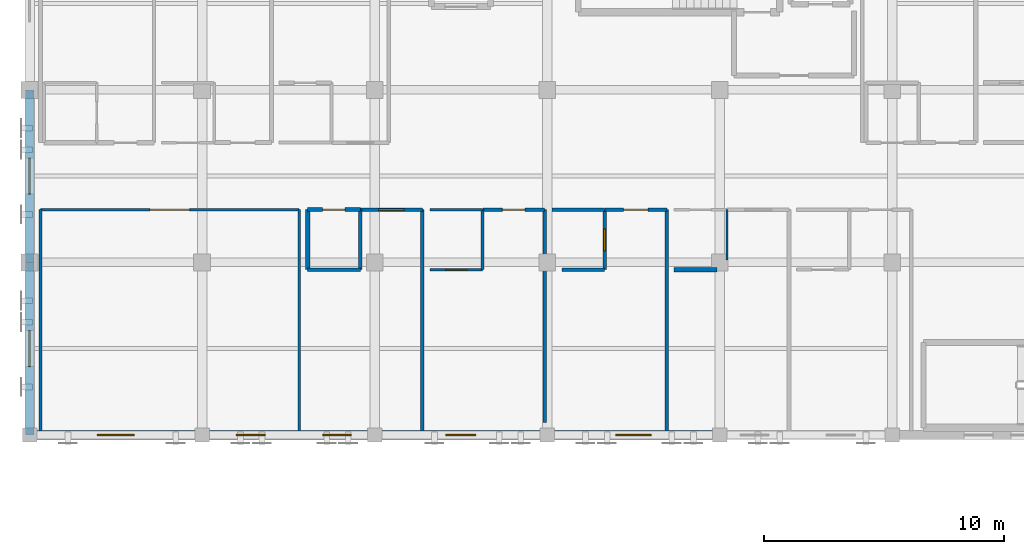
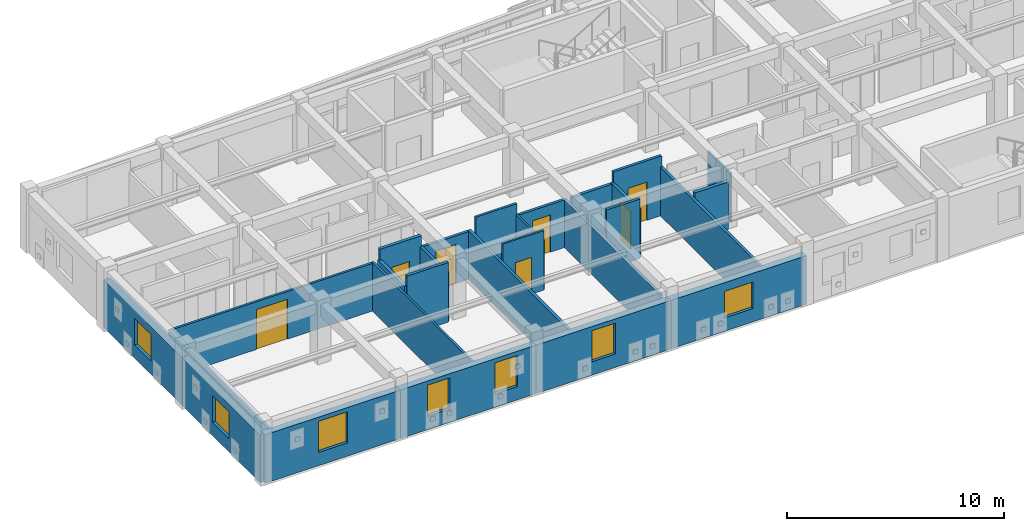
# One storey, part 57 of 73: 27 walls, 7 doors, 7 windows, 14 openings.
"""IFC4 building model written with IfcOpenShell, lengths in metres."""

from ifc_helpers import new_model, si_unit, direction, frame, frame_2d, origin, place, context, subcontext, project, spatial, rectangle, extrude, material, layer, layer_set, type_object, element, fill, save


model = new_model("IFC4")

# Units and contexts
model_context = context("Model", 3, precision=1e-05, world=origin(), true_north=direction((0.0, 1.0)))
body_context = subcontext(model_context, "Body", "Model", "MODEL_VIEW")
ifc_project = project(units=[si_unit("LENGTHUNIT", "METRE"), si_unit("AREAUNIT", "SQUARE_METRE"), si_unit("VOLUMEUNIT", "CUBIC_METRE"), si_unit("PLANEANGLEUNIT", "RADIAN"), si_unit("MASSUNIT", "GRAM", prefix="KILO")], contexts=[model_context])

# Site, building, storey
site_placement = place(None, origin())
site = spatial("IfcSite", under=ifc_project, at=site_placement, CompositionType="ELEMENT")
building_placement = place(site_placement, origin())
building = spatial("IfcBuilding", under=site, at=building_placement, Name="Carrowvane Square Congress Hotel", CompositionType="ELEMENT")
storey_placement = place(building_placement, frame((0.0, 0.0, 19.199951171875)))
storey = spatial("IfcBuildingStorey", under=building, at=storey_placement, Name="L04", CompositionType="ELEMENT", Elevation=19.199951171875)

# Wall, opening, window
ifc_material_1 = material(Name="Glazed terracotta rainscreen", Category="masonry")
ifc_layer_1 = layer(ifc_material_1, 0.360107421875)
ifc_layer_set_1 = layer_set([ifc_layer_1], Name="Glazed terracotta rainscreen")
wall_type_1 = type_object("IfcWallType", Name="WL-EXT-TC360", PredefinedType="STANDARD", material=ifc_layer_set_1)
wall_1_placement = place(storey_placement, frame((33.199951171875, 91.800048828125, 0.0), z_axis=(0.0, 0.0, 1.0), x_axis=(0.0, 1.0, 0.0)))
wall_1 = element("IfcWall", 1, at=wall_1_placement, inside=storey, type_object=wall_type_1, Name="L04 exterior facade wall 419", PredefinedType="STANDARD", context=body_context, shape_type="SweptSolid", body=[
    extrude(rectangle(XDim=7.199951171875, YDim=0.360107421875, at=frame_2d((3.60009765625, 0.0))), origin(), (0.0, 0.0, 1.0), 2.68505859375),
])
opening_1_placement = place(wall_1_placement, frame((2.85009765625, 0.0, 0.75)))
opening_1 = element("IfcOpeningElement", 2, at=opening_1_placement, cuts=wall_1, Name="Opening W-15", PredefinedType="OPENING", context=body_context, shape_type="SweptSolid", body=[
    extrude(rectangle(XDim=1.5, YDim=1.5, at=frame_2d((0.75, 0.75))), frame((0.0, 0.18994140625, 0.0), z_axis=(0.0, -1.0, 0.0), x_axis=(1.0, 0.0, 0.0)), (0.0, 0.0, 1.0), 0.380126953125),
])
ifc_material_2 = material(Name="Double-glazed low-E glass", Category="glass")
window_type_1 = type_object("IfcWindowType", Name="WIN-15", PartitioningType="SINGLE_PANEL", PredefinedType="WINDOW", material=ifc_material_2)
window_1_placement = place(opening_1_placement, origin())
window_1 = element("IfcWindow", 3, at=window_1_placement, inside=storey, type_object=window_type_1, Name="L04 facade window 251", OverallHeight=1.5, OverallWidth=1.5, PartitioningType="SINGLE_PANEL", PredefinedType="WINDOW", context=body_context, shape_type="SweptSolid", body=[
    extrude(rectangle(XDim=1.5, YDim=1.5, at=frame_2d((0.75, 0.75))), frame((0.0, 0.030029296875, 0.0), z_axis=(0.0, -1.0, 0.0), x_axis=(1.0, 0.0, 0.0)), (0.0, 0.0, 1.0), 0.06005859375),
])
fill(opening_1, window_1)

wall_2_placement = place(storey_placement, frame((33.199951171875, 99.0, 0.0), z_axis=(0.0, 0.0, 1.0), x_axis=(0.0, 1.0, 0.0)))
wall_2 = element("IfcWall", 4, at=wall_2_placement, inside=storey, type_object=wall_type_1, Name="L04 exterior facade wall 420", PredefinedType="STANDARD", context=body_context, shape_type="SweptSolid", body=[
    extrude(rectangle(XDim=7.199951171875, YDim=0.360107421875, at=frame_2d((3.60009765625, 0.0))), origin(), (0.0, 0.0, 1.0), 2.68505859375),
])
opening_2_placement = place(wall_2_placement, frame((2.85009765625, 0.0, 0.75)))
opening_2 = element("IfcOpeningElement", 5, at=opening_2_placement, cuts=wall_2, Name="Opening W-15", PredefinedType="OPENING", context=body_context, shape_type="SweptSolid", body=[
    extrude(rectangle(XDim=1.5, YDim=1.5, at=frame_2d((0.75, 0.75))), frame((0.0, 0.18994140625, 0.0), z_axis=(0.0, -1.0, 0.0), x_axis=(1.0, 0.0, 0.0)), (0.0, 0.0, 1.0), 0.380126953125),
])
window_2_placement = place(opening_2_placement, origin())
window_2 = element("IfcWindow", 6, at=window_2_placement, inside=storey, type_object=window_type_1, Name="L04 facade window 252", OverallHeight=1.5, OverallWidth=1.5, PartitioningType="SINGLE_PANEL", PredefinedType="WINDOW", context=body_context, shape_type="SweptSolid", body=[
    extrude(rectangle(XDim=1.5, YDim=1.5, at=frame_2d((0.75, 0.75))), frame((0.0, 0.030029296875, 0.0), z_axis=(0.0, -1.0, 0.0), x_axis=(1.0, 0.0, 0.0)), (0.0, 0.0, 1.0), 0.06005859375),
])
fill(opening_2, window_2)

wall_3_placement = place(storey_placement, frame((62.0, 91.800048828125, 0.0), z_axis=(0.0, 0.0, 1.0), x_axis=(-1.0, 0.0, 0.0)))
wall_3 = element("IfcWall", 7, at=wall_3_placement, inside=storey, type_object=wall_type_1, Name="L04 exterior facade wall 447", PredefinedType="STANDARD", context=body_context, shape_type="SweptSolid", body=[
    extrude(rectangle(XDim=7.199951171875, YDim=0.360107421875, at=frame_2d((3.60009765625, 0.0))), origin(), (0.0, 0.0, 1.0), 2.735107421875),
])
opening_3_placement = place(wall_3_placement, frame((2.85009765625, 0.0, 0.75)))
opening_3 = element("IfcOpeningElement", 8, at=opening_3_placement, cuts=wall_3, Name="Opening W-15", PredefinedType="OPENING", context=body_context, shape_type="SweptSolid", body=[
    extrude(rectangle(XDim=1.5, YDim=1.5, at=frame_2d((0.75, 0.75))), frame((0.0, 0.18994140625, 0.0), z_axis=(0.0, -1.0, 0.0), x_axis=(1.0, 0.0, 0.0)), (0.0, 0.0, 1.0), 0.380126953125),
])
window_3_placement = place(opening_3_placement, origin())
window_3 = element("IfcWindow", 9, at=window_3_placement, inside=storey, type_object=window_type_1, Name="L04 facade window 279", OverallHeight=1.5, OverallWidth=1.5, PartitioningType="SINGLE_PANEL", PredefinedType="WINDOW", context=body_context, shape_type="SweptSolid", body=[
    extrude(rectangle(XDim=1.5, YDim=1.5, at=frame_2d((0.75, 0.75))), frame((0.0, 0.030029296875, 0.0), z_axis=(0.0, -1.0, 0.0), x_axis=(1.0, 0.0, 0.0)), (0.0, 0.0, 1.0), 0.06005859375),
])
fill(opening_3, window_3)

wall_4_placement = place(storey_placement, frame((54.800048828125, 91.800048828125, 0.0), z_axis=(0.0, 0.0, 1.0), x_axis=(-1.0, 0.0, 0.0)))
wall_4 = element("IfcWall", 10, at=wall_4_placement, inside=storey, type_object=wall_type_1, Name="L04 exterior facade wall 448", PredefinedType="STANDARD", context=body_context, shape_type="SweptSolid", body=[
    extrude(rectangle(XDim=7.199951171875, YDim=0.360107421875, at=frame_2d((3.60009765625, 0.0))), origin(), (0.0, 0.0, 1.0), 2.735107421875),
])
opening_4_placement = place(wall_4_placement, frame((2.97509765625, 0.0, 0.75)))
opening_4 = element("IfcOpeningElement", 11, at=opening_4_placement, cuts=wall_4, Name="Opening W-21", PredefinedType="OPENING", context=body_context, shape_type="SweptSolid", body=[
    extrude(rectangle(XDim=1.25, YDim=1.75, at=frame_2d((0.625, 0.875))), frame((0.0, 0.18994140625, 0.0), z_axis=(0.0, -1.0, 0.0), x_axis=(1.0, 0.0, 0.0)), (0.0, 0.0, 1.0), 0.380126953125),
])
ifc_material_3 = material(Name="Double-glazed low-E glass", Category="glass")
window_type_2 = type_object("IfcWindowType", Name="WIN-21", PartitioningType="SINGLE_PANEL", PredefinedType="WINDOW", material=ifc_material_3)
window_4_placement = place(opening_4_placement, origin())
window_4 = element("IfcWindow", 12, at=window_4_placement, inside=storey, type_object=window_type_2, Name="L04 facade window 280", OverallHeight=1.75, OverallWidth=1.25, PartitioningType="SINGLE_PANEL", PredefinedType="WINDOW", context=body_context, shape_type="SweptSolid", body=[
    extrude(rectangle(XDim=1.25, YDim=1.75, at=frame_2d((0.625, 0.875))), frame((0.0, 0.030029296875, 0.0), z_axis=(0.0, -1.0, 0.0), x_axis=(1.0, 0.0, 0.0)), (0.0, 0.0, 1.0), 0.06005859375),
])
fill(opening_4, window_4)

# Wall, openings, windows
wall_5_placement = place(storey_placement, frame((47.60009765625, 91.800048828125, 0.0), z_axis=(0.0, 0.0, 1.0), x_axis=(-1.0, 0.0, 0.0)))
wall_5 = element("IfcWall", 13, at=wall_5_placement, inside=storey, type_object=wall_type_1, Name="L04 exterior facade wall 449", PredefinedType="STANDARD", context=body_context, shape_type="SweptSolid", body=[
    extrude(rectangle(XDim=7.2001953125, YDim=0.360107421875, at=frame_2d((3.60009765625, 0.0))), origin(), (0.0, 0.0, 1.0), 2.735107421875),
])
opening_5_placement = place(wall_5_placement, frame((0.97509765625, 0.0, 0.75)))
opening_5 = element("IfcOpeningElement", 14, at=opening_5_placement, cuts=wall_5, Name="Opening W-01", PredefinedType="OPENING", context=body_context, shape_type="SweptSolid", body=[
    extrude(rectangle(XDim=1.199951171875, YDim=1.75, at=frame_2d((0.60009765625, 0.875))), frame((0.0, 0.18994140625, 0.0), z_axis=(0.0, -1.0, 0.0), x_axis=(1.0, 0.0, 0.0)), (0.0, 0.0, 1.0), 0.380126953125),
])
opening_6_placement = place(wall_5_placement, frame((4.574951171875, 0.0, 0.75)))
opening_6 = element("IfcOpeningElement", 15, at=opening_6_placement, cuts=wall_5, Name="Opening W-01", PredefinedType="OPENING", context=body_context, shape_type="SweptSolid", body=[
    extrude(rectangle(XDim=1.199951171875, YDim=1.75, at=frame_2d((0.60009765625, 0.875))), frame((0.0, 0.18994140625, 0.0), z_axis=(0.0, -1.0, 0.0), x_axis=(1.0, 0.0, 0.0)), (0.0, 0.0, 1.0), 0.380126953125),
])
ifc_material_4 = material(Name="Double-glazed low-E glass", Category="glass")
window_type_3 = type_object("IfcWindowType", Name="WIN-01", PartitioningType="SINGLE_PANEL", PredefinedType="WINDOW", material=ifc_material_4)
window_5_placement = place(opening_5_placement, origin())
window_5 = element("IfcWindow", 16, at=window_5_placement, inside=storey, type_object=window_type_3, Name="L04 facade window 281", OverallHeight=1.75, OverallWidth=1.199951171875, PartitioningType="SINGLE_PANEL", PredefinedType="WINDOW", context=body_context, shape_type="SweptSolid", body=[
    extrude(rectangle(XDim=1.199951171875, YDim=1.75, at=frame_2d((0.60009765625, 0.875))), frame((0.0, 0.030029296875, 0.0), z_axis=(0.0, -1.0, 0.0), x_axis=(1.0, 0.0, 0.0)), (0.0, 0.0, 1.0), 0.06005859375),
])
fill(opening_5, window_5)
window_6_placement = place(opening_6_placement, origin())
window_6 = element("IfcWindow", 17, at=window_6_placement, inside=storey, type_object=window_type_3, Name="L04 split-bay facade window WIN-L04-0281-1", OverallHeight=1.75, OverallWidth=1.199951171875, PartitioningType="SINGLE_PANEL", PredefinedType="WINDOW", context=body_context, shape_type="SweptSolid", body=[
    extrude(rectangle(XDim=1.199951171875, YDim=1.75, at=frame_2d((0.60009765625, 0.875))), frame((0.0, 0.030029296875, 0.0), z_axis=(0.0, -1.0, 0.0), x_axis=(1.0, 0.0, 0.0)), (0.0, 0.0, 1.0), 0.06005859375),
])
fill(opening_6, window_6)

# Wall, opening, window
wall_6_placement = place(storey_placement, frame((40.39990234375, 91.800048828125, 0.0), z_axis=(0.0, 0.0, 1.0), x_axis=(-1.0, 0.0, 0.0)))
wall_6 = element("IfcWall", 18, at=wall_6_placement, inside=storey, type_object=wall_type_1, Name="L04 exterior facade wall 450", PredefinedType="STANDARD", context=body_context, shape_type="SweptSolid", body=[
    extrude(rectangle(XDim=7.199951171875, YDim=0.360107421875, at=frame_2d((3.60009765625, 0.0))), origin(), (0.0, 0.0, 1.0), 2.735107421875),
])
opening_7_placement = place(wall_6_placement, frame((2.824951171875, 0.0, 0.75)))
opening_7 = element("IfcOpeningElement", 19, at=opening_7_placement, cuts=wall_6, Name="Opening W-23", PredefinedType="OPENING", context=body_context, shape_type="SweptSolid", body=[
    extrude(rectangle(XDim=1.550048828125, YDim=1.75, at=frame_2d((0.77490234375, 0.875))), frame((0.0, 0.18994140625, 0.0), z_axis=(0.0, -1.0, 0.0), x_axis=(1.0, 0.0, 0.0)), (0.0, 0.0, 1.0), 0.380126953125),
])
ifc_material_5 = material(Name="Double-glazed low-E glass", Category="glass")
window_type_4 = type_object("IfcWindowType", Name="WIN-23", PartitioningType="SINGLE_PANEL", PredefinedType="WINDOW", material=ifc_material_5)
window_7_placement = place(opening_7_placement, origin())
window_7 = element("IfcWindow", 20, at=window_7_placement, inside=storey, type_object=window_type_4, Name="L04 facade window 282", OverallHeight=1.75, OverallWidth=1.550048828125, PartitioningType="SINGLE_PANEL", PredefinedType="WINDOW", context=body_context, shape_type="SweptSolid", body=[
    extrude(rectangle(XDim=1.550048828125, YDim=1.75, at=frame_2d((0.77490234375, 0.875))), frame((0.0, 0.030029296875, 0.0), z_axis=(0.0, -1.0, 0.0), x_axis=(1.0, 0.0, 0.0)), (0.0, 0.0, 1.0), 0.06005859375),
])
fill(opening_7, window_7)

# Walls
ifc_material_6 = material(Name="Acoustic gypsum board", Category="gypsum")
ifc_layer_2 = layer(ifc_material_6, 0.155029296875)
ifc_layer_set_2 = layer_set([ifc_layer_2], Name="Acoustic gypsum board")
wall_type_2 = type_object("IfcWallType", Name="WL-FIR-155", PredefinedType="PARTITIONING", material=ifc_layer_set_2)
wall_7_placement = place(storey_placement, frame((47.0, 101.199951171875, 0.0), z_axis=(0.0, 0.0, 1.0), x_axis=(0.0, -1.0, 0.0)))
element("IfcWall", 21, at=wall_7_placement, inside=storey, type_object=wall_type_2, Name="L04 En-suite Bathroom 0401 partition", PredefinedType="PARTITIONING", context=body_context, shape_type="SweptSolid", body=[
    extrude(rectangle(XDim=2.5, YDim=0.155029296875, at=frame_2d((1.25, 0.0))), origin(), (0.0, 0.0, 1.0), 2.735107421875),
])
wall_8_placement = place(storey_placement, frame((55.0, 101.199951171875, 0.0), z_axis=(0.0, 0.0, 1.0), x_axis=(1.0, 0.0, 0.0)))
element("IfcWall", 22, at=wall_8_placement, inside=storey, type_object=wall_type_2, Name="L04 En-suite Bathroom 0403 partition", PredefinedType="PARTITIONING", context=body_context, shape_type="SweptSolid", body=[
    extrude(rectangle(XDim=2.199951171875, YDim=0.155029296875, at=frame_2d((1.10009765625, 0.0))), origin(), (0.0, 0.0, 1.0), 2.68505859375),
])

# Wall, opening, door
ifc_material_7 = material(Name="Acoustic gypsum board", Category="gypsum")
ifc_layer_3 = layer(ifc_material_7, 0.169921875)
ifc_layer_set_3 = layer_set([ifc_layer_3], Name="Acoustic gypsum board")
wall_type_3 = type_object("IfcWallType", Name="WL-FIR-170", PredefinedType="PARTITIONING", material=ifc_layer_set_3)
wall_9_placement = place(storey_placement, frame((44.800048828125, 101.199951171875, 0.0), z_axis=(0.0, 0.0, 1.0), x_axis=(1.0, 0.0, 0.0)))
wall_9 = element("IfcWall", 23, at=wall_9_placement, inside=storey, type_object=wall_type_3, Name="L04 En-suite Bathroom 0401 partition", PredefinedType="PARTITIONING", context=body_context, shape_type="SweptSolid", body=[
    extrude(rectangle(XDim=2.199951171875, YDim=0.169921875, at=frame_2d((1.10009765625, 0.0))), origin(), (0.0, 0.0, 1.0), 3.35009765625),
])
opening_8_placement = place(wall_9_placement, frame((0.6298828125, 0.0, 0.0)))
opening_8 = element("IfcOpeningElement", 24, at=opening_8_placement, cuts=wall_9, Name="Opening ID-04", PredefinedType="OPENING", context=body_context, shape_type="SweptSolid", body=[
    extrude(rectangle(XDim=0.93994140625, YDim=2.1201171875, at=frame_2d((0.469970703125, 1.06005859375))), frame((0.0, 0.094970703125, 0.0), z_axis=(0.0, -1.0, 0.0), x_axis=(1.0, 0.0, 0.0)), (0.0, 0.0, 1.0), 0.18994140625),
])
ifc_material_8 = material(Name="European oak timber", Category="wood")
door_type_1 = type_object("IfcDoorType", Name="DR-INT-0940x2120", OperationType="NOTDEFINED", PredefinedType="DOOR", material=ifc_material_8)
door_1_placement = place(opening_8_placement, origin())
door_1 = element("IfcDoor", 25, at=door_1_placement, inside=storey, type_object=door_type_1, Name="L04 En-suite Bathroom 0401 door", OperationType="SINGLE_SWING_LEFT", OverallHeight=2.1201171875, OverallWidth=0.93994140625, PredefinedType="DOOR", context=body_context, shape_type="SweptSolid", body=[
    extrude(rectangle(XDim=0.93994140625, YDim=2.1201171875, at=frame_2d((0.469970703125, 1.06005859375))), frame((0.0, 0.02490234375, 0.0), z_axis=(0.0, -1.0, 0.0), x_axis=(1.0, 0.0, 0.0)), (0.0, 0.0, 1.0), 0.050048828125),
])
fill(opening_8, door_1)

# Walls
ifc_material_9 = material(Name="Acoustic gypsum board", Category="gypsum")
ifc_layer_4 = layer(ifc_material_9, 0.18505859375)
ifc_layer_set_4 = layer_set([ifc_layer_4], Name="Acoustic gypsum board")
wall_type_4 = type_object("IfcWallType", Name="WL-FIR-185", PredefinedType="PARTITIONING", material=ifc_layer_set_4)
wall_10_placement = place(storey_placement, frame((44.800048828125, 98.699951171875, 0.0), z_axis=(0.0, 0.0, 1.0), x_axis=(0.0, 1.0, 0.0)))
element("IfcWall", 26, at=wall_10_placement, inside=storey, type_object=wall_type_4, Name="L04 En-suite Bathroom 0401 partition", PredefinedType="PARTITIONING", context=body_context, shape_type="SweptSolid", body=[
    extrude(rectangle(XDim=2.5, YDim=0.18505859375, at=frame_2d((1.25, 0.0))), origin(), (0.0, 0.0, 1.0), 2.735107421875),
])
wall_11_placement = place(storey_placement, frame((61.889892578125, 98.699951171875, 0.0), z_axis=(0.0, 0.0, 1.0), x_axis=(-1.0, 0.0, 0.0)))
element("IfcWall", 27, at=wall_11_placement, inside=storey, type_object=wall_type_4, Name="L04 En-suite Bathroom 0404 partition", PredefinedType="PARTITIONING", context=body_context, shape_type="SweptSolid", body=[
    extrude(rectangle(XDim=1.789794921875, YDim=0.18505859375, at=frame_2d((0.89501953125, 0.0))), origin(), (0.0, 0.0, 1.0), 2.68505859375),
])

# Wall, opening, door
ifc_material_10 = material(Name="Acoustic gypsum board", Category="gypsum")
ifc_layer_5 = layer(ifc_material_10, 0.097900390625)
ifc_layer_set_5 = layer_set([ifc_layer_5], Name="Acoustic gypsum board")
wall_type_5 = type_object("IfcWallType", Name="WL-PRT-098", PredefinedType="PARTITIONING", material=ifc_layer_set_5)
wall_12_placement = place(storey_placement, frame((52.10009765625, 98.699951171875, 0.0), z_axis=(0.0, 0.0, 1.0), x_axis=(-1.0, 0.0, 0.0)))
wall_12 = element("IfcWall", 28, at=wall_12_placement, inside=storey, type_object=wall_type_5, Name="L04 En-suite Bathroom 0402 partition", PredefinedType="PARTITIONING", context=body_context, shape_type="SweptSolid", body=[
    extrude(rectangle(XDim=2.2001953125, YDim=0.097900390625, at=frame_2d((1.10009765625, 0.0))), origin(), (0.0, 0.0, 1.0), 3.35009765625),
])
opening_9_placement = place(wall_12_placement, frame((0.6650390625, 0.0, 0.0)))
opening_9 = element("IfcOpeningElement", 29, at=opening_9_placement, cuts=wall_12, Name="Opening ID-15", PredefinedType="OPENING", context=body_context, shape_type="SweptSolid", body=[
    extrude(rectangle(XDim=0.8701171875, YDim=2.070068359375, at=frame_2d((0.43505859375, 1.03515625))), frame((0.0, 0.058837890625, 0.0), z_axis=(0.0, -1.0, 0.0), x_axis=(1.0, 0.0, 0.0)), (0.0, 0.0, 1.0), 0.117919921875),
])
ifc_material_11 = material(Name="European oak timber", Category="wood")
door_type_2 = type_object("IfcDoorType", Name="DR-INT-0870x2070", OperationType="NOTDEFINED", PredefinedType="DOOR", material=ifc_material_11)
door_2_placement = place(opening_9_placement, origin())
door_2 = element("IfcDoor", 30, at=door_2_placement, inside=storey, type_object=door_type_2, Name="L04 En-suite Bathroom 0402 door", OperationType="SINGLE_SWING_LEFT", OverallHeight=2.070068359375, OverallWidth=0.8701171875, PredefinedType="DOOR", context=body_context, shape_type="SweptSolid", body=[
    extrude(rectangle(XDim=0.8701171875, YDim=2.070068359375, at=frame_2d((0.43505859375, 1.03515625))), frame((0.0, 0.02490234375, 0.0), z_axis=(0.0, -1.0, 0.0), x_axis=(1.0, 0.0, 0.0)), (0.0, 0.0, 1.0), 0.050048828125),
])
fill(opening_9, door_2)

# Walls
wall_13_placement = place(storey_placement, frame((62.300048828125, 101.199951171875, 0.0), z_axis=(0.0, 0.0, 1.0), x_axis=(0.0, -1.0, 0.0)))
element("IfcWall", 31, at=wall_13_placement, inside=storey, type_object=wall_type_5, Name="L04 En-suite Bathroom 0404 partition", PredefinedType="PARTITIONING", context=body_context, shape_type="SweptSolid", body=[
    extrude(rectangle(XDim=2.08984375, YDim=0.097900390625, at=frame_2d((1.044921875, 0.0))), origin(), (0.0, 0.0, 1.0), 2.735107421875),
])
ifc_material_12 = material(Name="Acoustic gypsum board", Category="gypsum")
ifc_layer_6 = layer(ifc_material_12, 0.10791015625)
ifc_layer_set_6 = layer_set([ifc_layer_6], Name="Acoustic gypsum board")
wall_type_6 = type_object("IfcWallType", Name="WL-PRT-108", PredefinedType="PARTITIONING", material=ifc_layer_set_6)
wall_14_placement = place(storey_placement, frame((44.449951171875, 101.199951171875, 0.0), z_axis=(0.0, 0.0, 1.0), x_axis=(0.0, -1.0, 0.0)))
element("IfcWall", 32, at=wall_14_placement, inside=storey, type_object=wall_type_6, Name="L04 L04 West Parkview Lounge partition", PredefinedType="PARTITIONING", context=body_context, shape_type="SweptSolid", body=[
    extrude(rectangle(XDim=9.239990234375, YDim=0.10791015625, at=frame_2d((4.6201171875, 0.0))), origin(), (0.0, 0.0, 1.0), 2.735107421875),
])
wall_15_placement = place(storey_placement, frame((52.10009765625, 101.199951171875, 0.0), z_axis=(0.0, 0.0, 1.0), x_axis=(0.0, -1.0, 0.0)))
element("IfcWall", 33, at=wall_15_placement, inside=storey, type_object=wall_type_6, Name="L04 En-suite Bathroom 0402 partition", PredefinedType="PARTITIONING", context=body_context, shape_type="SweptSolid", body=[
    extrude(rectangle(XDim=2.5, YDim=0.10791015625, at=frame_2d((1.25, 0.0))), origin(), (0.0, 0.0, 1.0), 2.735107421875),
])

# Wall, opening, door
ifc_material_13 = material(Name="Acoustic gypsum board", Category="gypsum")
ifc_layer_7 = layer(ifc_material_13, 0.117919921875)
ifc_layer_set_7 = layer_set([ifc_layer_7], Name="Acoustic gypsum board")
wall_type_7 = type_object("IfcWallType", Name="WL-PRT-118", PredefinedType="PARTITIONING", material=ifc_layer_set_7)
wall_16_placement = place(storey_placement, frame((33.64990234375, 101.199951171875, 0.0), z_axis=(0.0, 0.0, 1.0), x_axis=(1.0, 0.0, 0.0)))
wall_16 = element("IfcWall", 34, at=wall_16_placement, inside=storey, type_object=wall_type_7, Name="L04 L04 West Parkview Lounge partition", PredefinedType="PARTITIONING", context=body_context, shape_type="SweptSolid", body=[
    extrude(rectangle(XDim=10.800048828125, YDim=0.117919921875, at=frame_2d((5.39990234375, 0.0))), origin(), (0.0, 0.0, 1.0), 2.68505859375),
])
opening_10_placement = place(wall_16_placement, frame((4.574951171875, 0.0, 0.0)))
opening_10 = element("IfcOpeningElement", 35, at=opening_10_placement, cuts=wall_16, Name="Opening ID-12", PredefinedType="OPENING", context=body_context, shape_type="SweptSolid", body=[
    extrude(rectangle(XDim=1.64990234375, YDim=2.25, at=frame_2d((0.824951171875, 1.125))), frame((0.0, 0.06884765625, 0.0), z_axis=(0.0, -1.0, 0.0), x_axis=(1.0, 0.0, 0.0)), (0.0, 0.0, 1.0), 0.137939453125),
])
ifc_material_14 = material(Name="European oak timber", Category="wood")
door_type_3 = type_object("IfcDoorType", Name="DR-INT-1650x2250", OperationType="DOUBLE_DOOR_SINGLE_SWING", PredefinedType="DOOR", material=ifc_material_14)
door_3_placement = place(opening_10_placement, origin())
door_3 = element("IfcDoor", 36, at=door_3_placement, inside=storey, type_object=door_type_3, Name="L04 L04 West Parkview Lounge entrance door", OperationType="DOUBLE_DOOR_SINGLE_SWING", OverallHeight=2.25, OverallWidth=1.64990234375, PredefinedType="DOOR", context=body_context, shape_type="SweptSolid", body=[
    extrude(rectangle(XDim=1.64990234375, YDim=2.25, at=frame_2d((0.824951171875, 1.125))), frame((0.0, 0.02490234375, 0.0), z_axis=(0.0, -1.0, 0.0), x_axis=(1.0, 0.0, 0.0)), (0.0, 0.0, 1.0), 0.050048828125),
])
fill(opening_10, door_3)

# Walls
wall_17_placement = place(storey_placement, frame((49.89990234375, 101.199951171875, 0.0), z_axis=(0.0, 0.0, 1.0), x_axis=(1.0, 0.0, 0.0)))
element("IfcWall", 37, at=wall_17_placement, inside=storey, type_object=wall_type_7, Name="L04 En-suite Bathroom 0402 partition", PredefinedType="PARTITIONING", context=body_context, shape_type="SweptSolid", body=[
    extrude(rectangle(XDim=2.2001953125, YDim=0.117919921875, at=frame_2d((1.10009765625, 0.0))), origin(), (0.0, 0.0, 1.0), 3.35009765625),
])
ifc_material_15 = material(Name="Acoustic gypsum board", Category="gypsum")
ifc_layer_8 = layer(ifc_material_15, 0.1279296875)
ifc_layer_set_8 = layer_set([ifc_layer_8], Name="Acoustic gypsum board")
wall_type_8 = type_object("IfcWallType", Name="WL-PRT-128", PredefinedType="PARTITIONING", material=ifc_layer_set_8)
wall_18_placement = place(storey_placement, frame((33.64990234375, 91.9599609375, 0.0), z_axis=(0.0, 0.0, 1.0), x_axis=(0.0, 1.0, 0.0)))
element("IfcWall", 38, at=wall_18_placement, inside=storey, type_object=wall_type_8, Name="L04 L04 West Parkview Lounge partition", PredefinedType="PARTITIONING", context=body_context, shape_type="SweptSolid", body=[
    extrude(rectangle(XDim=9.239990234375, YDim=0.1279296875, at=frame_2d((4.6201171875, 0.0))), origin(), (0.0, 0.0, 1.0), 2.735107421875),
])

# Wall, opening, door
ifc_material_16 = material(Name="Acoustic gypsum board", Category="gypsum")
ifc_layer_9 = layer(ifc_material_16, 0.137939453125)
ifc_layer_set_9 = layer_set([ifc_layer_9], Name="Acoustic gypsum board")
wall_type_9 = type_object("IfcWallType", Name="WL-PRT-138", PredefinedType="PARTITIONING", material=ifc_layer_set_9)
wall_19_placement = place(storey_placement, frame((47.010009765625, 101.199951171875, 0.0), z_axis=(0.0, 0.0, 1.0), x_axis=(1.0, 0.0, 0.0)))
wall_19 = element("IfcWall", 39, at=wall_19_placement, inside=storey, type_object=wall_type_9, Name="L04 Hotel Guest Bedroom 0401 partition", PredefinedType="PARTITIONING", context=body_context, shape_type="SweptSolid", body=[
    extrude(rectangle(XDim=2.580078125, YDim=0.137939453125, at=frame_2d((1.2900390625, 0.0))), origin(), (0.0, 0.0, 1.0), 2.68505859375),
])
opening_11_placement = place(wall_19_placement, frame((0.760009765625, 0.0, 0.0)))
opening_11 = element("IfcOpeningElement", 40, at=opening_11_placement, cuts=wall_19, Name="Opening FD-09", PredefinedType="OPENING", context=body_context, shape_type="SweptSolid", body=[
    extrude(rectangle(XDim=1.06005859375, YDim=2.199951171875, at=frame_2d((0.530029296875, 1.10009765625))), frame((0.0, 0.078857421875, 0.0), z_axis=(0.0, -1.0, 0.0), x_axis=(1.0, 0.0, 0.0)), (0.0, 0.0, 1.0), 0.157958984375),
])
ifc_material_17 = material(Name="European oak timber", Category="wood")
door_type_4 = type_object("IfcDoorType", Name="DR-FD30-1060x2200", OperationType="NOTDEFINED", PredefinedType="DOOR", material=ifc_material_17)
door_4_placement = place(opening_11_placement, origin())
door_4 = element("IfcDoor", 41, at=door_4_placement, inside=storey, type_object=door_type_4, Name="L04 Hotel Guest Bedroom 0401 entrance door", OperationType="SINGLE_SWING_RIGHT", OverallHeight=2.199951171875, OverallWidth=1.06005859375, PredefinedType="DOOR", context=body_context, shape_type="SweptSolid", body=[
    extrude(rectangle(XDim=1.06005859375, YDim=2.199951171875, at=frame_2d((0.530029296875, 1.10009765625))), frame((0.0, 0.02490234375, 0.0), z_axis=(0.0, -1.0, 0.0), x_axis=(1.0, 0.0, 0.0)), (0.0, 0.0, 1.0), 0.050048828125),
])
fill(opening_11, door_4)

wall_20_placement = place(storey_placement, frame((52.110107421875, 101.199951171875, 0.0), z_axis=(0.0, 0.0, 1.0), x_axis=(1.0, 0.0, 0.0)))
wall_20 = element("IfcWall", 42, at=wall_20_placement, inside=storey, type_object=wall_type_9, Name="L04 Hotel Guest Bedroom 0402 partition", PredefinedType="PARTITIONING", context=body_context, shape_type="SweptSolid", body=[
    extrude(rectangle(XDim=2.579833984375, YDim=0.137939453125, at=frame_2d((1.2900390625, 0.0))), origin(), (0.0, 0.0, 1.0), 2.68505859375),
])
opening_12_placement = place(wall_20_placement, frame((0.81494140625, 0.0, 0.0)))
opening_12 = element("IfcOpeningElement", 43, at=opening_12_placement, cuts=wall_20, Name="Opening FD-06", PredefinedType="OPENING", context=body_context, shape_type="SweptSolid", body=[
    extrude(rectangle(XDim=0.949951171875, YDim=2.10009765625, at=frame_2d((0.47509765625, 1.050048828125))), frame((0.0, 0.078857421875, 0.0), z_axis=(0.0, -1.0, 0.0), x_axis=(1.0, 0.0, 0.0)), (0.0, 0.0, 1.0), 0.157958984375),
])
ifc_material_18 = material(Name="European oak timber", Category="wood")
door_type_5 = type_object("IfcDoorType", Name="DR-FD30-0950x2100", OperationType="NOTDEFINED", PredefinedType="DOOR", material=ifc_material_18)
door_5_placement = place(opening_12_placement, origin())
door_5 = element("IfcDoor", 44, at=door_5_placement, inside=storey, type_object=door_type_5, Name="L04 Hotel Guest Bedroom 0402 entrance door", OperationType="SINGLE_SWING_RIGHT", OverallHeight=2.10009765625, OverallWidth=0.949951171875, PredefinedType="DOOR", context=body_context, shape_type="SweptSolid", body=[
    extrude(rectangle(XDim=0.949951171875, YDim=2.10009765625, at=frame_2d((0.47509765625, 1.050048828125))), frame((0.0, 0.02490234375, 0.0), z_axis=(0.0, -1.0, 0.0), x_axis=(1.0, 0.0, 0.0)), (0.0, 0.0, 1.0), 0.050048828125),
])
fill(opening_12, door_5)

# Wall
wall_21_placement = place(storey_placement, frame((57.199951171875, 98.699951171875, 0.0), z_axis=(0.0, 0.0, 1.0), x_axis=(-1.0, 0.0, 0.0)))
element("IfcWall", 45, at=wall_21_placement, inside=storey, type_object=wall_type_9, Name="L04 En-suite Bathroom 0403 partition", PredefinedType="PARTITIONING", context=body_context, shape_type="SweptSolid", body=[
    extrude(rectangle(XDim=1.7900390625, YDim=0.137939453125, at=frame_2d((0.89501953125, 0.0))), origin(), (0.0, 0.0, 1.0), 3.35009765625),
])

# Wall, opening, door
wall_22_placement = place(storey_placement, frame((57.2099609375, 101.199951171875, 0.0), z_axis=(0.0, 0.0, 1.0), x_axis=(1.0, 0.0, 0.0)))
wall_22 = element("IfcWall", 46, at=wall_22_placement, inside=storey, type_object=wall_type_9, Name="L04 Hotel Guest Bedroom 0403 partition", PredefinedType="PARTITIONING", context=body_context, shape_type="SweptSolid", body=[
    extrude(rectangle(XDim=2.580078125, YDim=0.137939453125, at=frame_2d((1.2900390625, 0.0))), origin(), (0.0, 0.0, 1.0), 3.35009765625),
])
opening_13_placement = place(wall_22_placement, frame((0.780029296875, 0.0, 0.0)))
opening_13 = element("IfcOpeningElement", 47, at=opening_13_placement, cuts=wall_22, Name="Opening FD-08", PredefinedType="OPENING", context=body_context, shape_type="SweptSolid", body=[
    extrude(rectangle(XDim=1.02001953125, YDim=2.14990234375, at=frame_2d((0.510009765625, 1.074951171875))), frame((0.0, 0.078857421875, 0.0), z_axis=(0.0, -1.0, 0.0), x_axis=(1.0, 0.0, 0.0)), (0.0, 0.0, 1.0), 0.157958984375),
])
ifc_material_19 = material(Name="European oak timber", Category="wood")
door_type_6 = type_object("IfcDoorType", Name="DR-FD30-1020x2150", OperationType="NOTDEFINED", PredefinedType="DOOR", material=ifc_material_19)
door_6_placement = place(opening_13_placement, origin())
door_6 = element("IfcDoor", 48, at=door_6_placement, inside=storey, type_object=door_type_6, Name="L04 Hotel Guest Bedroom 0403 entrance door", OperationType="SINGLE_SWING_RIGHT", OverallHeight=2.14990234375, OverallWidth=1.02001953125, PredefinedType="DOOR", context=body_context, shape_type="SweptSolid", body=[
    extrude(rectangle(XDim=1.02001953125, YDim=2.14990234375, at=frame_2d((0.510009765625, 1.074951171875))), frame((0.0, 0.02490234375, 0.0), z_axis=(0.0, -1.0, 0.0), x_axis=(1.0, 0.0, 0.0)), (0.0, 0.0, 1.0), 0.050048828125),
])
fill(opening_13, door_6)

# Walls
ifc_material_20 = material(Name="Acoustic gypsum board", Category="gypsum")
ifc_layer_10 = layer(ifc_material_20, 0.14794921875)
ifc_layer_set_10 = layer_set([ifc_layer_10], Name="Acoustic gypsum board")
wall_type_10 = type_object("IfcWallType", Name="WL-PRT-148", PredefinedType="PARTITIONING", material=ifc_layer_set_10)
wall_23_placement = place(storey_placement, frame((47.0, 98.699951171875, 0.0), z_axis=(0.0, 0.0, 1.0), x_axis=(-1.0, 0.0, 0.0)))
element("IfcWall", 49, at=wall_23_placement, inside=storey, type_object=wall_type_10, Name="L04 En-suite Bathroom 0401 partition", PredefinedType="PARTITIONING", context=body_context, shape_type="SweptSolid", body=[
    extrude(rectangle(XDim=2.199951171875, YDim=0.14794921875, at=frame_2d((1.10009765625, 0.0))), origin(), (0.0, 0.0, 1.0), 3.35009765625),
])
wall_24_placement = place(storey_placement, frame((49.590087890625, 101.199951171875, 0.0), z_axis=(0.0, 0.0, 1.0), x_axis=(0.0, -1.0, 0.0)))
element("IfcWall", 50, at=wall_24_placement, inside=storey, type_object=wall_type_10, Name="L04 Hotel Guest Bedroom 0401 partition", PredefinedType="PARTITIONING", context=body_context, shape_type="SweptSolid", body=[
    extrude(rectangle(XDim=9.239990234375, YDim=0.14794921875, at=frame_2d((4.6201171875, 0.0))), origin(), (0.0, 0.0, 1.0), 2.735107421875),
])
wall_25_placement = place(storey_placement, frame((54.68994140625, 101.199951171875, 0.0), z_axis=(0.0, 0.0, 1.0), x_axis=(0.0, -1.0, 0.0)))
element("IfcWall", 51, at=wall_25_placement, inside=storey, type_object=wall_type_10, Name="L04 Hotel Guest Bedroom 0402 partition", PredefinedType="PARTITIONING", context=body_context, shape_type="SweptSolid", body=[
    extrude(rectangle(XDim=8.8798828125, YDim=0.14794921875, at=frame_2d((4.43994140625, 0.0))), origin(), (0.0, 0.0, 1.0), 2.68505859375),
])

# Wall, opening, door
wall_26_placement = place(storey_placement, frame((57.199951171875, 101.199951171875, 0.0), z_axis=(0.0, 0.0, 1.0), x_axis=(0.0, -1.0, 0.0)))
wall_26 = element("IfcWall", 52, at=wall_26_placement, inside=storey, type_object=wall_type_10, Name="L04 En-suite Bathroom 0403 partition", PredefinedType="PARTITIONING", context=body_context, shape_type="SweptSolid", body=[
    extrude(rectangle(XDim=2.5, YDim=0.14794921875, at=frame_2d((1.25, 0.0))), origin(), (0.0, 0.0, 1.0), 2.735107421875),
])
opening_14_placement = place(wall_26_placement, frame((0.794921875, 0.0, 0.0)))
opening_14 = element("IfcOpeningElement", 53, at=opening_14_placement, cuts=wall_26, Name="Opening ID-17", PredefinedType="OPENING", context=body_context, shape_type="SweptSolid", body=[
    extrude(rectangle(XDim=0.909912109375, YDim=2.110107421875, at=frame_2d((0.455078125, 1.05517578125))), frame((0.0, 0.083984375, 0.0), z_axis=(0.0, -1.0, 0.0), x_axis=(1.0, 0.0, 0.0)), (0.0, 0.0, 1.0), 0.16796875),
])
ifc_material_21 = material(Name="European oak timber", Category="wood")
door_type_7 = type_object("IfcDoorType", Name="DR-INT-0910x2110", OperationType="NOTDEFINED", PredefinedType="DOOR", material=ifc_material_21)
door_7_placement = place(opening_14_placement, origin())
door_7 = element("IfcDoor", 54, at=door_7_placement, inside=storey, type_object=door_type_7, Name="L04 En-suite Bathroom 0403 door", OperationType="SINGLE_SWING_LEFT", OverallHeight=2.110107421875, OverallWidth=0.909912109375, PredefinedType="DOOR", context=body_context, shape_type="SweptSolid", body=[
    extrude(rectangle(XDim=0.909912109375, YDim=2.110107421875, at=frame_2d((0.455078125, 1.05517578125))), frame((0.0, 0.02490234375, 0.0), z_axis=(0.0, -1.0, 0.0), x_axis=(1.0, 0.0, 0.0)), (0.0, 0.0, 1.0), 0.050048828125),
])
fill(opening_14, door_7)

# Wall
wall_27_placement = place(storey_placement, frame((59.7900390625, 101.199951171875, 0.0), z_axis=(0.0, 0.0, 1.0), x_axis=(0.0, -1.0, 0.0)))
element("IfcWall", 55, at=wall_27_placement, inside=storey, type_object=wall_type_10, Name="L04 Hotel Guest Bedroom 0403 partition", PredefinedType="PARTITIONING", context=body_context, shape_type="SweptSolid", body=[
    extrude(rectangle(XDim=9.239990234375, YDim=0.14794921875, at=frame_2d((4.6201171875, 0.0))), origin(), (0.0, 0.0, 1.0), 2.735107421875),
])

save(model, "model.ifc")
